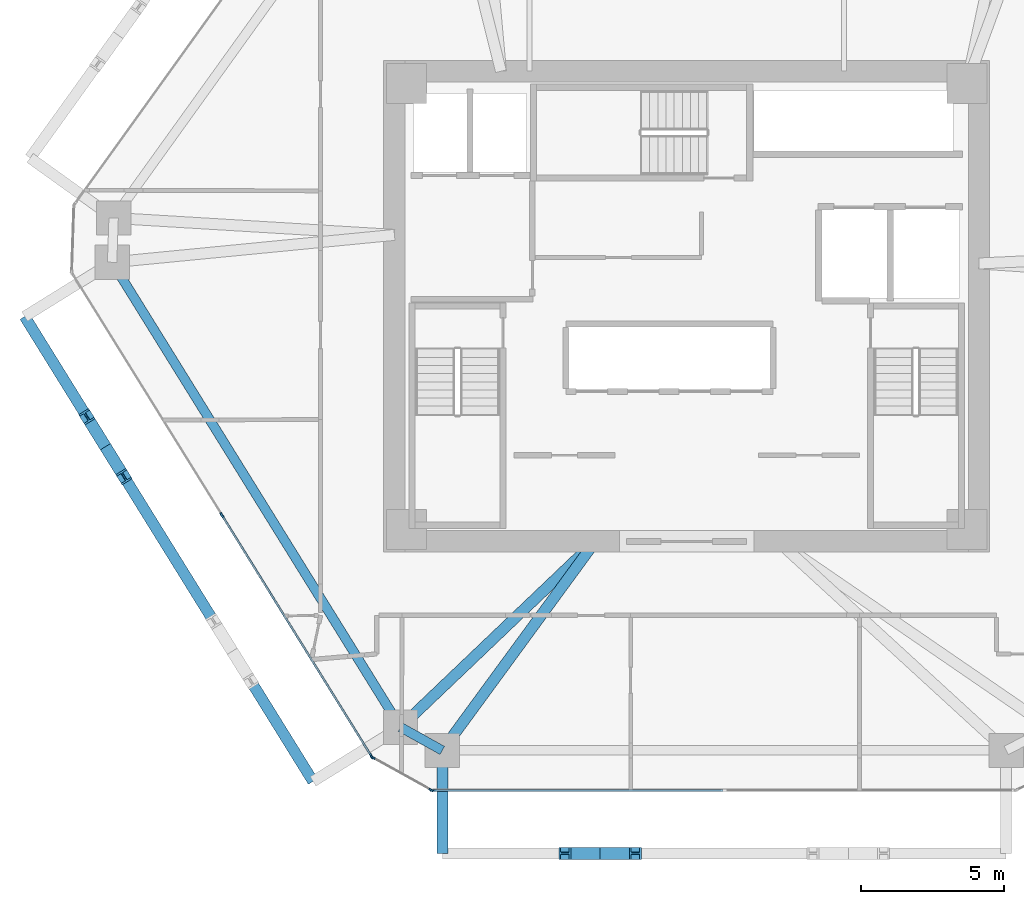
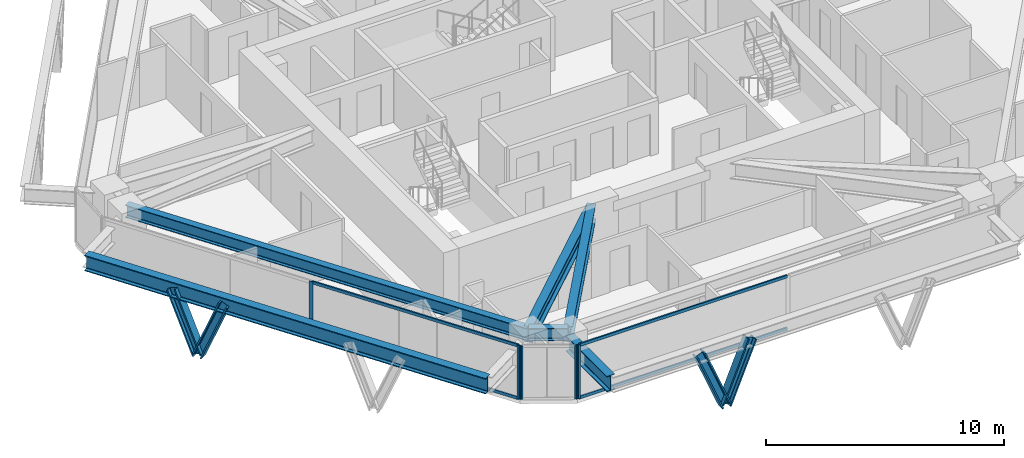
# One storey, part 2 of 14: 13 members, 6 beams, 3 elements without a shape of their own.
"""IFC4 building model written with IfcOpenShell, lengths in metres."""

from ifc_helpers import new_model, si_unit, direction, frame, origin, origin_2d, place, context, subcontext, project, spatial, rectangle, i_section, extrude, source, transform, mapped, material, layer, layer_set, material_profile, profile_set, type_object, type_shapes, element, aggregate, save


model = new_model("IFC4")

# Units and contexts
model_context = context("Model", 3, precision=1e-05, world=origin(), true_north=direction((0.0, 1.0)))
body_context = subcontext(model_context, "Body", "Model", "MODEL_VIEW")
ifc_project = project(units=[si_unit("LENGTHUNIT", "METRE"), si_unit("AREAUNIT", "SQUARE_METRE"), si_unit("VOLUMEUNIT", "CUBIC_METRE"), si_unit("PLANEANGLEUNIT", "RADIAN"), si_unit("MASSUNIT", "GRAM", prefix="KILO")], contexts=[model_context])

# Site, building, storey
site_placement = place(None, origin())
site = spatial("IfcSite", under=ifc_project, at=site_placement, CompositionType="ELEMENT")
building_placement = place(site_placement, origin())
building = spatial("IfcBuilding", under=site, at=building_placement, Name="Durnholm Broadcast Tower", CompositionType="ELEMENT")
storey_placement = place(building_placement, frame((0.0, 0.0, 140.10009765625)))
storey = spatial("IfcBuildingStorey", under=building, at=storey_placement, Name="L38", CompositionType="ELEMENT", Elevation=140.10009765625)

# Beams
ifc_material_1 = material(Name="Steel ASTM A992 Grade 50", Category="steel")
ifc_material_profile_1 = material_profile(ifc_material_1, i_section(OverallWidth=0.385009765625, OverallDepth=0.802978515625, WebThickness=0.023681640625, FlangeThickness=0.0419921875, FilletRadius=0.032958984375, at=origin_2d()), Name="W30X261")
ifc_profile_set_1 = profile_set([ifc_material_profile_1], Name="Steel ASTM A992 Grade 50")
beam_type_1 = type_object("IfcBeamType", Name="BM-EXO-TIE", PredefinedType="USERDEFINED", material=ifc_profile_set_1)
shared_shape_1 = source(origin(), body_context, "Body", "SweptSolid", [
    extrude(i_section(OverallWidth=0.385009765625, OverallDepth=0.802978515625, WebThickness=0.023681640625, FlangeThickness=0.0419921875, FilletRadius=0.032958984375, at=origin_2d()), origin(), (0.0, 0.0, 1.0), 3.4560546875),
])
beam_1_placement = place(storey_placement, frame((-8.552001953125, -15.680908203125, 2.008544921875), z_axis=(0.0, -1.0, 0.0), x_axis=(1.0, 0.0, 0.0)))
element("IfcBeam", 1, at=beam_1_placement, inside=storey, type_object=beam_type_1, Name="L38 exoskeleton stand-off tie bracket F1.1", ObjectType="GIRDER", PredefinedType="USERDEFINED", context=body_context, shape_type="MappedRepresentation", body=[
    mapped(shared_shape_1, transform((0.0, 0.0, 0.0), x_axis=(1.0, 0.0, 0.0), y_axis=(0.0, 1.0, 0.0), z_axis=(0.0, 0.0, 1.0), scale=1.0)),
])
ifc_material_profile_2 = material_profile(ifc_material_1, i_section(OverallWidth=0.3291015625, OverallDepth=0.635009765625, WebThickness=0.017822265625, FlangeThickness=0.031005859375, FilletRadius=0.02783203125, at=origin_2d()), Name="W24X162")
ifc_profile_set_2 = profile_set([ifc_material_profile_2], Name="Steel ASTM A992 Grade 50")
beam_type_2 = type_object("IfcBeamType", Name="STL-SP-W24X162", PredefinedType="SPANDREL", material=ifc_profile_set_2)
shared_shape_2 = source(origin(), body_context, "Body", "SweptSolid", [
    extrude(i_section(OverallWidth=0.3291015625, OverallDepth=0.635009765625, WebThickness=0.017822265625, FlangeThickness=0.031005859375, FilletRadius=0.02783203125, at=origin_2d()), origin(), (0.0, 0.0, 1.0), 19.1396484375),
])
beam_2_placement = place(storey_placement, frame((-10.01416015625, -14.723388671875, 2.427490234375), z_axis=(-0.527105324954, 0.849799962582, 0.0), x_axis=(-0.849799962582, -0.527105324954, 0.0)))
element("IfcBeam", 2, at=beam_2_placement, inside=storey, type_object=beam_type_2, Name="L38 perimeter spandrel girder 01", PredefinedType="SPANDREL", context=body_context, shape_type="MappedRepresentation", body=[
    mapped(shared_shape_2, transform((0.0, 0.0, 0.0), x_axis=(1.0, 0.0, 0.0), y_axis=(0.0, 1.0, 0.0), z_axis=(0.0, 0.0, 1.0), scale=1.0)),
])
shared_shape_3 = source(origin(), body_context, "Body", "SweptSolid", [
    extrude(i_section(OverallWidth=0.3291015625, OverallDepth=0.635009765625, WebThickness=0.017822265625, FlangeThickness=0.031005859375, FilletRadius=0.02783203125, at=origin_2d()), origin(), (0.0, 0.0, 1.0), 1.67333984375),
])
type_shapes(beam_type_2, [shared_shape_2, shared_shape_3])
beam_3_placement = place(storey_placement, frame((-8.552001953125, -15.537109375, 2.427490234375), z_axis=(-0.873799169188, 0.486286964586, 0.0), x_axis=(-0.486286964586, -0.873799169188, 0.0)))
element("IfcBeam", 3, at=beam_3_placement, inside=storey, type_object=beam_type_2, Name="L38 perimeter spandrel girder 12", PredefinedType="SPANDREL", context=body_context, shape_type="MappedRepresentation", body=[
    mapped(shared_shape_3, transform((0.0, 0.0, 0.0), x_axis=(1.0, 0.0, 0.0), y_axis=(0.0, 1.0, 0.0), z_axis=(0.0, 0.0, 1.0), scale=1.0)),
])
ifc_material_profile_3 = material_profile(ifc_material_1, i_section(OverallWidth=0.385009765625, OverallDepth=0.802978515625, WebThickness=0.023681640625, FlangeThickness=0.0419921875, FilletRadius=0.032958984375, at=origin_2d()), Name="W30X261")
ifc_profile_set_3 = profile_set([ifc_material_profile_3], Name="Steel ASTM A992 Grade 50")
beam_type_3 = type_object("IfcBeamType", Name="STL-GR-W30X261", PredefinedType="USERDEFINED", material=ifc_profile_set_3)
shared_shape_4 = source(origin(), body_context, "Body", "SweptSolid", [
    extrude(i_section(OverallWidth=0.385009765625, OverallDepth=0.802978515625, WebThickness=0.023681640625, FlangeThickness=0.0419921875, FilletRadius=0.032958984375, at=origin_2d()), origin(), (0.0, 0.0, 1.0), 9.416015625),
])
beam_4_placement = place(storey_placement, frame((-3.199951171875, -8.22509765625, 2.343505859375), z_axis=(-0.723683335801, -0.690132182617, 0.0), x_axis=(0.690132182617, -0.723683335801, 0.0)))
element("IfcBeam", 4, at=beam_4_placement, inside=storey, type_object=beam_type_3, Name="L38 radial primary floor girder 01", ObjectType="GIRDER", PredefinedType="USERDEFINED", context=body_context, shape_type="MappedRepresentation", body=[
    mapped(shared_shape_4, transform((0.0, 0.0, 0.0), x_axis=(1.0, 0.0, 0.0), y_axis=(0.0, 1.0, 0.0), z_axis=(0.0, 0.0, 1.0), scale=1.0)),
])
shared_shape_5 = source(origin(), body_context, "Body", "SweptSolid", [
    extrude(i_section(OverallWidth=0.385009765625, OverallDepth=0.802978515625, WebThickness=0.023681640625, FlangeThickness=0.0419921875, FilletRadius=0.032958984375, at=origin_2d()), origin(), (0.0, 0.0, 1.0), 9.0615234375),
])
type_shapes(beam_type_3, [shared_shape_4, shared_shape_5])
beam_5_placement = place(storey_placement, frame((-3.199951171875, -8.22509765625, 2.343505859375), z_axis=(-0.590639241086, -0.806935739008, 0.0), x_axis=(0.806935739008, -0.590639241086, 0.0)))
element("IfcBeam", 5, at=beam_5_placement, inside=storey, type_object=beam_type_3, Name="L38 radial primary floor girder 12", ObjectType="GIRDER", PredefinedType="USERDEFINED", context=body_context, shape_type="MappedRepresentation", body=[
    mapped(shared_shape_5, transform((0.0, 0.0, 0.0), x_axis=(1.0, 0.0, 0.0), y_axis=(0.0, 1.0, 0.0), z_axis=(0.0, 0.0, 1.0), scale=1.0)),
])
shared_shape_6 = source(origin(), body_context, "Body", "SweptSolid", [
    extrude(i_section(OverallWidth=0.385009765625, OverallDepth=0.802978515625, WebThickness=0.023681640625, FlangeThickness=0.0419921875, FilletRadius=0.032958984375, at=origin_2d()), origin(), (0.0, 0.0, 1.0), 19.139404296875),
])
type_shapes(beam_type_1, [shared_shape_1, shared_shape_6])
beam_6_placement = place(storey_placement, frame((-23.162109375, -0.356201171875, 2.008544921875), z_axis=(0.527111038734, -0.84979641847, 0.0), x_axis=(0.84979641847, 0.527111038734, 0.0)))
element("IfcBeam", 6, at=beam_6_placement, inside=storey, type_object=beam_type_1, Name="L38 exoskeleton collector spandrel F6", PredefinedType="SPANDREL", context=body_context, shape_type="MappedRepresentation", body=[
    mapped(shared_shape_6, transform((0.0, 0.0, 0.0), x_axis=(1.0, 0.0, 0.0), y_axis=(0.0, 1.0, 0.0), z_axis=(0.0, 0.0, 1.0), scale=1.0)),
])

# Members
ifc_material_2 = material(Name="Steel ASTM A913 Grade 65", Category="steel")
ifc_material_profile_4 = material_profile(ifc_material_2, i_section(OverallWidth=0.41845703125, OverallDepth=0.455078125, WebThickness=0.0419921875, FlangeThickness=0.067626953125, FilletRadius=0.030517578125, at=origin_2d()), Name="W14X370")
ifc_profile_set_4 = profile_set([ifc_material_profile_4], Name="Steel ASTM A913 Grade 65")
member_type_1 = type_object("IfcMemberType", Name="STL-DG-W14X370", PredefinedType="BRACE", material=ifc_profile_set_4)
shared_shape_7 = source(origin(), body_context, "Body", "SweptSolid", [
    extrude(i_section(OverallWidth=0.41845703125, OverallDepth=0.455078125, WebThickness=0.0419921875, FlangeThickness=0.067626953125, FilletRadius=0.030517578125, at=origin_2d()), origin(), (0.0, 0.0, 1.0), 3.243896484375),
])
for number, where, z_axis, x_axis, name in (
    (7, (-3.028076171875, -19.136962890625, -0.991455078125), (-0.380378804119, 0.0, 0.924830776616), (0.0, -1.0, 0.0), "L38 stand-off diagrid brace F1.D1.1"),
    (8, (-3.028076171875, -19.136962890625, -0.991455078125), (0.380378804119, 0.0, 0.924830776616), (0.0, 1.0, 0.0), "L38 stand-off diagrid brace F1.D1.2"),
    (9, (-20.337158203125, -4.910400390625, -0.991455078125), (-0.200499851569, 0.323253326761, 0.924828144175), (-0.849805205368, -0.527096872433, 0.0), "L38 stand-off diagrid brace F6.D1.1"),
):
    element("IfcMember", number, at=place(storey_placement, frame(where, z_axis=z_axis, x_axis=x_axis)), inside=storey, type_object=member_type_1, Name=name, PredefinedType="BRACE", context=body_context, shape_type="MappedRepresentation", body=[
        mapped(shared_shape_7, transform((0.0, 0.0, 0.0), x_axis=(1.0, 0.0, 0.0), y_axis=(0.0, 1.0, 0.0), z_axis=(0.0, 0.0, 1.0), scale=1.0)),
    ])
shared_shape_8 = source(origin(), body_context, "Body", "SweptSolid", [
    extrude(i_section(OverallWidth=0.41845703125, OverallDepth=0.455078125, WebThickness=0.0419921875, FlangeThickness=0.067626953125, FilletRadius=0.030517578125, at=origin_2d()), origin(), (0.0, 0.0, 1.0), 3.24365234375),
])
type_shapes(member_type_1, [shared_shape_7, shared_shape_8])
member_1_placement = place(storey_placement, frame((-20.337158203125, -4.910400390625, -0.991455078125), z_axis=(0.200504729124, -0.323185925998, 0.924850642447), x_axis=(0.849750220063, 0.527185511469, 0.0)))
element("IfcMember", 10, at=member_1_placement, inside=storey, type_object=member_type_1, Name="L38 stand-off diagrid brace F6.D1.2", PredefinedType="BRACE", context=body_context, shape_type="MappedRepresentation", body=[
    mapped(shared_shape_8, transform((0.0, 0.0, 0.0), x_axis=(1.0, 0.0, 0.0), y_axis=(0.0, 1.0, 0.0), z_axis=(0.0, 0.0, 1.0), scale=1.0)),
])

# Curtain wall, members
ifc_material_3 = material(Name="Aluminium and Solar Control IGU", Category="aluminium")
ifc_layer_1 = layer(ifc_material_3, 0.1650390625)
ifc_layer_set_1 = layer_set([ifc_layer_1], Name="Aluminium and Solar Control IGU")
curtain_wall_type_1 = type_object("IfcCurtainWallType", Name="CW-SYS-5", PredefinedType="NOTDEFINED", material=ifc_layer_set_1)
curtain_wall_1_placement = place(storey_placement, origin())
curtain_wall_1 = element("IfcCurtainWall", 11, at=curtain_wall_1_placement, inside=storey, type_object=curtain_wall_type_1, Name="L38 curtain wall CW-CORNER CW-L38-CRN-11", PredefinedType="NOTDEFINED")
ifc_material_4 = material(Name="Aluminium 6063-T6", Category="aluminium")
ifc_material_profile_5 = material_profile(ifc_material_4, rectangle(XDim=0.06494140625, YDim=0.1650390625, at=origin_2d()), Name="CWM65X165")
ifc_profile_set_5 = profile_set([ifc_material_profile_5], Name="Aluminium 6063-T6")
member_type_2 = type_object("IfcMemberType", Name="CW-SYS-5-MUL", PredefinedType="MULLION", material=ifc_profile_set_5)
shared_shape_9 = source(origin(), body_context, "Body", "SweptSolid", [
    extrude(rectangle(XDim=0.06494140625, YDim=0.1650390625, at=origin_2d()), origin(), (0.0, 0.0, 1.0), 2.760009765625),
])
type_shapes(member_type_2, [shared_shape_9])
member_2_placement = place(storey_placement, frame((-8.943603515625, -16.921142578125, 0.0), z_axis=(0.0, 0.0, 1.0), x_axis=(-0.486244224192, -0.873822953715, 0.0)))
member_2 = element("IfcMember", 12, at=member_2_placement, type_object=member_type_2, Name="CW-CORNER mullion 1", PredefinedType="MULLION", context=body_context, shape_type="MappedRepresentation", body=[
    mapped(shared_shape_9, transform((0.0, 0.0, 0.0), x_axis=(1.0, 0.0, 0.0), y_axis=(0.0, 1.0, 0.0), z_axis=(0.0, 0.0, 1.0), scale=1.0)),
])
member_3_placement = place(storey_placement, frame((-10.98388671875, -15.785888671875, 0.0), z_axis=(0.0, 0.0, 1.0), x_axis=(-0.486244224192, -0.873822953715, 0.0)))
member_3 = element("IfcMember", 13, at=member_3_placement, type_object=member_type_2, Name="CW-CORNER mullion 2", PredefinedType="MULLION", context=body_context, shape_type="MappedRepresentation", body=[
    mapped(shared_shape_9, transform((0.0, 0.0, 0.0), x_axis=(1.0, 0.0, 0.0), y_axis=(0.0, 1.0, 0.0), z_axis=(0.0, 0.0, 1.0), scale=1.0)),
])
aggregate(curtain_wall_1, [member_2, member_3])

# Curtain wall, member
ifc_layer_2 = layer(ifc_material_3, 0.18994140625)
ifc_layer_set_2 = layer_set([ifc_layer_2], Name="Aluminium and Solar Control IGU")
curtain_wall_type_2 = type_object("IfcCurtainWallType", Name="CW-SYS-3", PredefinedType="NOTDEFINED", material=ifc_layer_set_2)
curtain_wall_2_placement = place(storey_placement, origin())
curtain_wall_2 = element("IfcCurtainWall", 14, at=curtain_wall_2_placement, inside=storey, type_object=curtain_wall_type_2, Name="L38 curtain wall CW-Z12-VIS CW-L38-F10", PredefinedType="NOTDEFINED")
ifc_material_profile_6 = material_profile(ifc_material_4, rectangle(XDim=0.070068359375, YDim=0.18994140625, at=origin_2d()), Name="CWM70X190")
ifc_profile_set_6 = profile_set([ifc_material_profile_6], Name="Aluminium 6063-T6")
member_type_3 = type_object("IfcMemberType", Name="CW-SYS-3-MUL", PredefinedType="MULLION", material=ifc_profile_set_6)
shared_shape_10 = source(origin(), body_context, "Body", "SweptSolid", [
    extrude(rectangle(XDim=0.070068359375, YDim=0.18994140625, at=origin_2d()), origin(), (0.0, 0.0, 1.0), 2.760009765625),
])
type_shapes(member_type_3, [shared_shape_10])
member_4_placement = place(storey_placement, frame((-8.880126953125, -16.93701171875, 0.0), z_axis=(0.0, 0.0, 1.0), x_axis=(0.0, -1.0, 0.0)))
member_4 = element("IfcMember", 15, at=member_4_placement, type_object=member_type_3, Name="CW-Z12-VIS mullion 3", PredefinedType="MULLION", context=body_context, shape_type="MappedRepresentation", body=[
    mapped(shared_shape_10, transform((0.0, 0.0, 0.0), x_axis=(1.0, 0.0, 0.0), y_axis=(0.0, 1.0, 0.0), z_axis=(0.0, 0.0, 1.0), scale=1.0)),
])

# Curtain wall, members
curtain_wall_3_placement = place(storey_placement, origin())
curtain_wall_3 = element("IfcCurtainWall", 16, at=curtain_wall_3_placement, inside=storey, type_object=curtain_wall_type_2, Name="L38 curtain wall CW-Z12-VIS CW-L38-F12", PredefinedType="NOTDEFINED")
member_5_placement = place(storey_placement, frame((-11.03076171875, -15.740234375, 0.0), z_axis=(0.0, 0.0, 1.0), x_axis=(-0.849799925229, -0.527105385176, 0.0)))
member_5 = element("IfcMember", 17, at=member_5_placement, type_object=member_type_3, Name="CW-Z12-VIS mullion 1", PredefinedType="MULLION", context=body_context, shape_type="MappedRepresentation", body=[
    mapped(shared_shape_10, transform((0.0, 0.0, 0.0), x_axis=(1.0, 0.0, 0.0), y_axis=(0.0, 1.0, 0.0), z_axis=(0.0, 0.0, 1.0), scale=1.0)),
])
member_6_placement = place(storey_placement, frame((-16.264404296875, -7.302734375, 0.0), z_axis=(0.0, 0.0, 1.0), x_axis=(-0.849799925229, -0.527105385176, 0.0)))
member_6 = element("IfcMember", 18, at=member_6_placement, type_object=member_type_3, Name="CW-Z12-VIS mullion 2", PredefinedType="MULLION", context=body_context, shape_type="MappedRepresentation", body=[
    mapped(shared_shape_10, transform((0.0, 0.0, 0.0), x_axis=(1.0, 0.0, 0.0), y_axis=(0.0, 1.0, 0.0), z_axis=(0.0, 0.0, 1.0), scale=1.0)),
])

# Member
ifc_material_profile_7 = material_profile(ifc_material_4, rectangle(XDim=0.070068359375, YDim=0.14990234375, at=origin_2d()), Name="CWT70X150")
ifc_profile_set_7 = profile_set([ifc_material_profile_7], Name="Aluminium 6063-T6")
member_type_4 = type_object("IfcMemberType", Name="CW-SYS-3-TRN", PredefinedType="USERDEFINED", material=ifc_profile_set_7)
shared_shape_11 = source(origin(), body_context, "Body", "SweptSolid", [
    extrude(rectangle(XDim=0.070068359375, YDim=0.14990234375, at=origin_2d()), origin(), (0.0, 0.0, 1.0), 10.109619140625),
])
member_7_placement = place(storey_placement, frame((1.264404296875, -16.93701171875, 0.034912109375), z_axis=(-1.0, 0.0, 0.0), x_axis=(0.0, -1.0, 0.0)))
member_7 = element("IfcMember", 19, at=member_7_placement, type_object=member_type_4, Name="CW-Z12-VIS transom 2.1", ObjectType="TRANSOM", PredefinedType="USERDEFINED", context=body_context, shape_type="MappedRepresentation", body=[
    mapped(shared_shape_11, transform((0.0, 0.0, 0.0), x_axis=(1.0, 0.0, 0.0), y_axis=(0.0, 1.0, 0.0), z_axis=(0.0, 0.0, 1.0), scale=1.0)),
])

member_8_placement = place(storey_placement, frame((1.264404296875, -16.93701171875, 2.724853515625), z_axis=(-1.0, 0.0, 0.0), x_axis=(0.0, -1.0, 0.0)))
member_8 = element("IfcMember", 20, at=member_8_placement, type_object=member_type_4, Name="CW-Z12-VIS transom 2.2", ObjectType="TRANSOM", PredefinedType="USERDEFINED", context=body_context, shape_type="MappedRepresentation", body=[
    mapped(shared_shape_11, transform((0.0, 0.0, 0.0), x_axis=(1.0, 0.0, 0.0), y_axis=(0.0, 1.0, 0.0), z_axis=(0.0, 0.0, 1.0), scale=1.0)),
])

aggregate(curtain_wall_2, [member_4, member_7, member_8])

shared_shape_12 = source(origin(), body_context, "Body", "SweptSolid", [
    extrude(rectangle(XDim=0.070068359375, YDim=0.14990234375, at=origin_2d()), origin(), (0.0, 0.0, 1.0), 9.858642578125),
])
type_shapes(member_type_4, [shared_shape_11, shared_shape_12])
member_9_placement = place(storey_placement, frame((-11.04931640625, -15.71044921875, 0.034912109375), z_axis=(-0.527102081419, 0.849801974441, 0.0), x_axis=(-0.849801974441, -0.527102081419, 0.0)))
member_9 = element("IfcMember", 21, at=member_9_placement, type_object=member_type_4, Name="CW-Z12-VIS transom 1.1", ObjectType="TRANSOM", PredefinedType="USERDEFINED", context=body_context, shape_type="MappedRepresentation", body=[
    mapped(shared_shape_12, transform((0.0, 0.0, 0.0), x_axis=(1.0, 0.0, 0.0), y_axis=(0.0, 1.0, 0.0), z_axis=(0.0, 0.0, 1.0), scale=1.0)),
])

member_10_placement = place(storey_placement, frame((-11.04931640625, -15.71044921875, 2.724853515625), z_axis=(-0.527102081419, 0.849801974441, 0.0), x_axis=(-0.849801974441, -0.527102081419, 0.0)))
member_10 = element("IfcMember", 22, at=member_10_placement, type_object=member_type_4, Name="CW-Z12-VIS transom 1.2", ObjectType="TRANSOM", PredefinedType="USERDEFINED", context=body_context, shape_type="MappedRepresentation", body=[
    mapped(shared_shape_12, transform((0.0, 0.0, 0.0), x_axis=(1.0, 0.0, 0.0), y_axis=(0.0, 1.0, 0.0), z_axis=(0.0, 0.0, 1.0), scale=1.0)),
])

aggregate(curtain_wall_3, [member_5, member_6, member_9, member_10])

save(model, "model.ifc")
